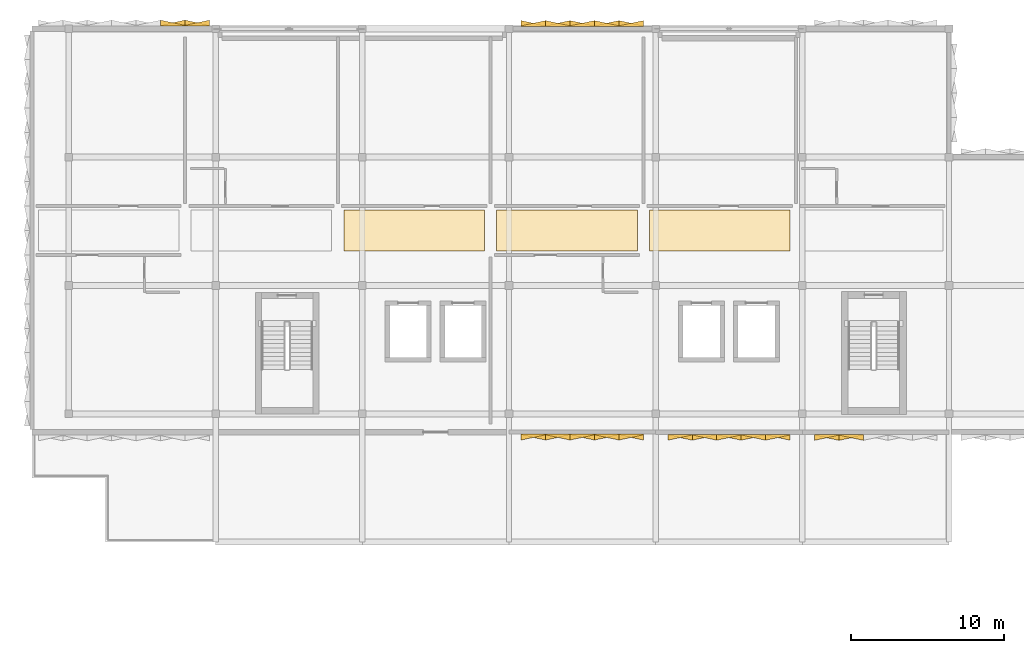
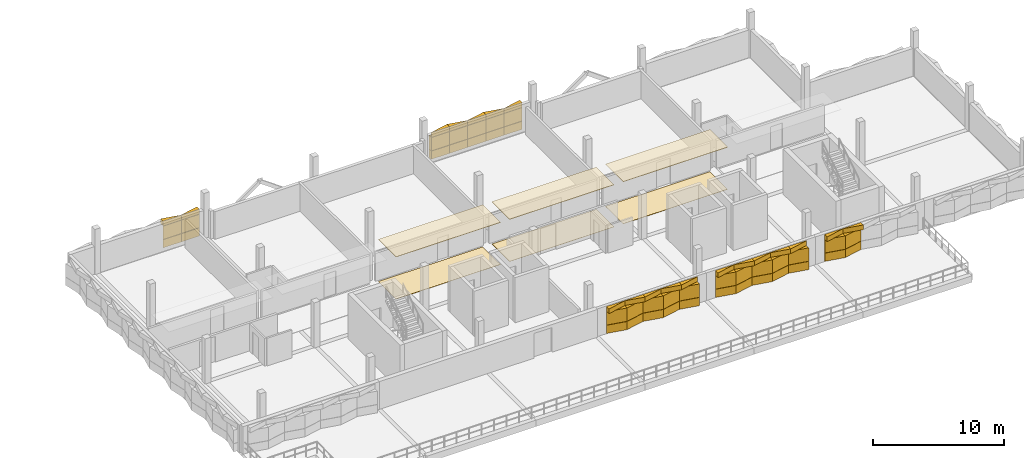
# One storey, part 11 of 13: 63 coverings.
"""IFC4 building model written with IfcOpenShell, lengths in metres."""

from ifc_helpers import new_model, si_unit, direction, frame, origin, place, context, subcontext, project, spatial, polyline, outline, extrude, material, layer, layer_set, type_object, element, save


model = new_model("IFC4")

# Units and contexts
model_context = context("Model", 3, precision=1e-05, world=origin(), true_north=direction((0.0, 1.0)))
body_context = subcontext(model_context, "Body", "Model", "MODEL_VIEW")
ifc_project = project(units=[si_unit("LENGTHUNIT", "METRE"), si_unit("AREAUNIT", "SQUARE_METRE"), si_unit("VOLUMEUNIT", "CUBIC_METRE"), si_unit("PLANEANGLEUNIT", "RADIAN"), si_unit("MASSUNIT", "GRAM", prefix="KILO")], contexts=[model_context])

# Site, building, storey
site_placement = place(None, origin())
site = spatial("IfcSite", under=ifc_project, at=site_placement, CompositionType="ELEMENT")
building_placement = place(site_placement, origin())
building = spatial("IfcBuilding", under=site, at=building_placement, Name="Oolite Switchyard Hospital", CompositionType="ELEMENT")
storey_placement = place(building_placement, frame((0.0, 0.0, 30.39990234375)))
storey = spatial("IfcBuildingStorey", under=building, at=storey_placement, Name="L07", CompositionType="ELEMENT", Elevation=30.39990234375)

# Coverings
ifc_material_1 = material(Name="Hygienic washable mineral-fibre acoustic ceiling")
ifc_layer_1 = layer(ifc_material_1, 0.0400390625)
ifc_layer_set_1 = layer_set([ifc_layer_1], Name="COV-CEIL-AC60")
covering_type_1 = type_object("IfcCoveringType", Name="COV-CEIL-AC60", PredefinedType="CEILING", material=ifc_layer_set_1)
covering_1_placement = place(storey_placement, frame((0.0, 0.0, 3.91015625)))
element("IfcCovering", 1, at=covering_1_placement, inside=storey, type_object=covering_type_1, Name="L07 Transplant and AIIR Isolation Ward Corridor Ceiling 3", PredefinedType="CEILING", context=body_context, shape_type="SweptSolid", body=[
    extrude(outline(polyline([(162.0, 119.85009765625), (171.199951171875, 119.85009765625), (171.199951171875, 122.550048828125), (162.0, 122.550048828125), (162.0, 119.85009765625)])), origin(), (0.0, 0.0, 1.0), 0.0400390625),
])
covering_2_placement = place(storey_placement, frame((0.0, 0.0, 3.91015625)))
element("IfcCovering", 2, at=covering_2_placement, inside=storey, type_object=covering_type_1, Name="L07 Transplant and AIIR Isolation Ward Corridor Ceiling 4", PredefinedType="CEILING", context=body_context, shape_type="SweptSolid", body=[
    extrude(outline(polyline([(172.0, 119.85009765625), (181.199951171875, 119.85009765625), (181.199951171875, 122.550048828125), (172.0, 122.550048828125), (172.0, 119.85009765625)])), origin(), (0.0, 0.0, 1.0), 0.0400390625),
])
covering_3_placement = place(storey_placement, frame((0.0, 0.0, 3.91015625)))
element("IfcCovering", 3, at=covering_3_placement, inside=storey, type_object=covering_type_1, Name="L07 Transplant and AIIR Isolation Ward Corridor Ceiling 5", PredefinedType="CEILING", context=body_context, shape_type="SweptSolid", body=[
    extrude(outline(polyline([(182.0, 119.85009765625), (191.199951171875, 119.85009765625), (191.199951171875, 122.550048828125), (182.0, 122.550048828125), (182.0, 119.85009765625)])), origin(), (0.0, 0.0, 1.0), 0.0400390625),
])
ifc_material_2 = material(Name="Precast oolitic limestone architectural concrete C40/50", Category="masonry")
covering_type_2 = type_object("IfcCoveringType", Name="COV-CHEV-COOL", PredefinedType="CLADDING", material=ifc_material_2)
covering_4_placement = place(storey_placement, frame((181.60009765625, 107.8701171875, 0.050048828125), z_axis=(0.0, 0.0, 1.0), x_axis=(-1.0, 0.0, 0.0)))
element("IfcCovering", 4, at=covering_4_placement, inside=storey, type_object=covering_type_2, Name="L07 Chevron Precast Oolite Panel 1718", PredefinedType="CLADDING", context=body_context, shape_type="SweptSolid", body=[
    extrude(outline(polyline([(0.0, 0.0), (1.60009765625, 0.0), (1.60009765625, 0.044921875), (0.0, 0.385009765625), (0.0, 0.0)])), origin(), (0.0, 0.0, 1.0), 0.760009765625),
])
covering_5_placement = place(storey_placement, frame((181.60009765625, 107.8701171875, 2.090087890625), z_axis=(0.0, 0.0, 1.0), x_axis=(-1.0, 0.0, 0.0)))
element("IfcCovering", 5, at=covering_5_placement, inside=storey, type_object=covering_type_2, Name="L07 Chevron Precast Oolite Panel 1719", PredefinedType="CLADDING", context=body_context, shape_type="SweptSolid", body=[
    extrude(outline(polyline([(0.0, 0.0), (1.60009765625, 0.0), (1.60009765625, 0.385009765625), (0.0, 0.044921875), (0.0, 0.0)])), origin(), (0.0, 0.0, 1.0), 0.43994140625),
])
covering_6_placement = place(storey_placement, frame((181.60009765625, 107.8701171875, 0.830078125), z_axis=(0.0, 0.0, 1.0), x_axis=(-1.0, 0.0, 0.0)))
element("IfcCovering", 6, at=covering_6_placement, inside=storey, type_object=covering_type_2, Name="L07 Chevron Precast Oolite Panel 1720", PredefinedType="CLADDING", context=body_context, shape_type="SweptSolid", body=[
    extrude(outline(polyline([(0.0, 0.0), (1.60009765625, 0.0), (1.60009765625, 0.044921875), (0.0, 0.385009765625), (0.0, 0.0)])), origin(), (0.0, 0.0, 1.0), 1.239990234375),
])
covering_7_placement = place(storey_placement, frame((180.0, 107.8701171875, 0.050048828125), z_axis=(0.0, 0.0, 1.0), x_axis=(-1.0, 0.0, 0.0)))
element("IfcCovering", 7, at=covering_7_placement, inside=storey, type_object=covering_type_2, Name="L07 Chevron Precast Oolite Panel 1721", PredefinedType="CLADDING", context=body_context, shape_type="SweptSolid", body=[
    extrude(outline(polyline([(0.0, 0.0), (1.60009765625, 0.0), (1.60009765625, 0.385009765625), (0.0, 0.044921875), (0.0, 0.0)])), origin(), (0.0, 0.0, 1.0), 0.760009765625),
])
covering_8_placement = place(storey_placement, frame((180.0, 107.8701171875, 2.090087890625), z_axis=(0.0, 0.0, 1.0), x_axis=(-1.0, 0.0, 0.0)))
element("IfcCovering", 8, at=covering_8_placement, inside=storey, type_object=covering_type_2, Name="L07 Chevron Precast Oolite Panel 1722", PredefinedType="CLADDING", context=body_context, shape_type="SweptSolid", body=[
    extrude(outline(polyline([(0.0, 0.0), (1.60009765625, 0.0), (1.60009765625, 0.044921875), (0.0, 0.385009765625), (0.0, 0.0)])), origin(), (0.0, 0.0, 1.0), 0.43994140625),
])
covering_9_placement = place(storey_placement, frame((180.0, 107.8701171875, 0.830078125), z_axis=(0.0, 0.0, 1.0), x_axis=(-1.0, 0.0, 0.0)))
element("IfcCovering", 9, at=covering_9_placement, inside=storey, type_object=covering_type_2, Name="L07 Chevron Precast Oolite Panel 1723", PredefinedType="CLADDING", context=body_context, shape_type="SweptSolid", body=[
    extrude(outline(polyline([(0.0, 0.0), (1.60009765625, 0.0), (1.60009765625, 0.385009765625), (0.0, 0.044921875), (0.0, 0.0)])), origin(), (0.0, 0.0, 1.0), 1.239990234375),
])
covering_10_placement = place(storey_placement, frame((178.39990234375, 107.8701171875, 0.050048828125), z_axis=(0.0, 0.0, 1.0), x_axis=(-1.0, 0.0, 0.0)))
element("IfcCovering", 10, at=covering_10_placement, inside=storey, type_object=covering_type_2, Name="L07 Chevron Precast Oolite Panel 1724", PredefinedType="CLADDING", context=body_context, shape_type="SweptSolid", body=[
    extrude(outline(polyline([(0.0, 0.0), (1.599853515625, 0.0), (1.599853515625, 0.044921875), (0.0, 0.385009765625), (0.0, 0.0)])), origin(), (0.0, 0.0, 1.0), 0.760009765625),
])
covering_11_placement = place(storey_placement, frame((178.39990234375, 107.8701171875, 2.090087890625), z_axis=(0.0, 0.0, 1.0), x_axis=(-1.0, 0.0, 0.0)))
element("IfcCovering", 11, at=covering_11_placement, inside=storey, type_object=covering_type_2, Name="L07 Chevron Precast Oolite Panel 1725", PredefinedType="CLADDING", context=body_context, shape_type="SweptSolid", body=[
    extrude(outline(polyline([(0.0, 0.0), (1.599853515625, 0.0), (1.599853515625, 0.385009765625), (0.0, 0.044921875), (0.0, 0.0)])), origin(), (0.0, 0.0, 1.0), 0.43994140625),
])
covering_12_placement = place(storey_placement, frame((178.39990234375, 107.8701171875, 0.830078125), z_axis=(0.0, 0.0, 1.0), x_axis=(-1.0, 0.0, 0.0)))
element("IfcCovering", 12, at=covering_12_placement, inside=storey, type_object=covering_type_2, Name="L07 Chevron Precast Oolite Panel 1726", PredefinedType="CLADDING", context=body_context, shape_type="SweptSolid", body=[
    extrude(outline(polyline([(0.0, 0.0), (1.599853515625, 0.0), (1.599853515625, 0.044921875), (0.0, 0.385009765625), (0.0, 0.0)])), origin(), (0.0, 0.0, 1.0), 1.239990234375),
])
covering_13_placement = place(storey_placement, frame((176.800048828125, 107.8701171875, 0.050048828125), z_axis=(0.0, 0.0, 1.0), x_axis=(-1.0, 0.0, 0.0)))
element("IfcCovering", 13, at=covering_13_placement, inside=storey, type_object=covering_type_2, Name="L07 Chevron Precast Oolite Panel 1727", PredefinedType="CLADDING", context=body_context, shape_type="SweptSolid", body=[
    extrude(outline(polyline([(0.0, 0.0), (1.60009765625, 0.0), (1.60009765625, 0.385009765625), (0.0, 0.044921875), (0.0, 0.0)])), origin(), (0.0, 0.0, 1.0), 0.760009765625),
])
covering_14_placement = place(storey_placement, frame((176.800048828125, 107.8701171875, 2.090087890625), z_axis=(0.0, 0.0, 1.0), x_axis=(-1.0, 0.0, 0.0)))
element("IfcCovering", 14, at=covering_14_placement, inside=storey, type_object=covering_type_2, Name="L07 Chevron Precast Oolite Panel 1728", PredefinedType="CLADDING", context=body_context, shape_type="SweptSolid", body=[
    extrude(outline(polyline([(0.0, 0.0), (1.60009765625, 0.0), (1.60009765625, 0.044921875), (0.0, 0.385009765625), (0.0, 0.0)])), origin(), (0.0, 0.0, 1.0), 0.43994140625),
])
covering_15_placement = place(storey_placement, frame((176.800048828125, 107.8701171875, 0.830078125), z_axis=(0.0, 0.0, 1.0), x_axis=(-1.0, 0.0, 0.0)))
element("IfcCovering", 15, at=covering_15_placement, inside=storey, type_object=covering_type_2, Name="L07 Chevron Precast Oolite Panel 1729", PredefinedType="CLADDING", context=body_context, shape_type="SweptSolid", body=[
    extrude(outline(polyline([(0.0, 0.0), (1.60009765625, 0.0), (1.60009765625, 0.385009765625), (0.0, 0.044921875), (0.0, 0.0)])), origin(), (0.0, 0.0, 1.0), 1.239990234375),
])
covering_16_placement = place(storey_placement, frame((175.199951171875, 107.8701171875, 0.050048828125), z_axis=(0.0, 0.0, 1.0), x_axis=(-1.0, 0.0, 0.0)))
element("IfcCovering", 16, at=covering_16_placement, inside=storey, type_object=covering_type_2, Name="L07 Chevron Precast Oolite Panel 1730", PredefinedType="CLADDING", context=body_context, shape_type="SweptSolid", body=[
    extrude(outline(polyline([(0.0, 0.0), (1.599853515625, 0.0), (1.599853515625, 0.044921875), (0.0, 0.385009765625), (0.0, 0.0)])), origin(), (0.0, 0.0, 1.0), 0.760009765625),
])
covering_17_placement = place(storey_placement, frame((175.199951171875, 107.8701171875, 2.090087890625), z_axis=(0.0, 0.0, 1.0), x_axis=(-1.0, 0.0, 0.0)))
element("IfcCovering", 17, at=covering_17_placement, inside=storey, type_object=covering_type_2, Name="L07 Chevron Precast Oolite Panel 1731", PredefinedType="CLADDING", context=body_context, shape_type="SweptSolid", body=[
    extrude(outline(polyline([(0.0, 0.0), (1.599853515625, 0.0), (1.599853515625, 0.385009765625), (0.0, 0.044921875), (0.0, 0.0)])), origin(), (0.0, 0.0, 1.0), 0.43994140625),
])
covering_18_placement = place(storey_placement, frame((175.199951171875, 107.8701171875, 0.830078125), z_axis=(0.0, 0.0, 1.0), x_axis=(-1.0, 0.0, 0.0)))
element("IfcCovering", 18, at=covering_18_placement, inside=storey, type_object=covering_type_2, Name="L07 Chevron Precast Oolite Panel 1732", PredefinedType="CLADDING", context=body_context, shape_type="SweptSolid", body=[
    extrude(outline(polyline([(0.0, 0.0), (1.599853515625, 0.0), (1.599853515625, 0.044921875), (0.0, 0.385009765625), (0.0, 0.0)])), origin(), (0.0, 0.0, 1.0), 1.239990234375),
])
covering_19_placement = place(storey_placement, frame((191.199951171875, 107.860107421875, 0.050048828125), z_axis=(0.0, 0.0, 1.0), x_axis=(-1.0, 0.0, 0.0)))
element("IfcCovering", 19, at=covering_19_placement, inside=storey, type_object=covering_type_2, Name="L07 Chevron Precast Oolite Panel 1733", PredefinedType="CLADDING", context=body_context, shape_type="SweptSolid", body=[
    extrude(outline(polyline([(0.0, 0.0), (1.599853515625, 0.0), (1.599853515625, 0.044921875), (0.0, 0.385009765625), (0.0, 0.0)])), origin(), (0.0, 0.0, 1.0), 0.760009765625),
])
covering_20_placement = place(storey_placement, frame((191.199951171875, 107.860107421875, 2.090087890625), z_axis=(0.0, 0.0, 1.0), x_axis=(-1.0, 0.0, 0.0)))
element("IfcCovering", 20, at=covering_20_placement, inside=storey, type_object=covering_type_2, Name="L07 Chevron Precast Oolite Panel 1734", PredefinedType="CLADDING", context=body_context, shape_type="SweptSolid", body=[
    extrude(outline(polyline([(0.0, 0.0), (1.599853515625, 0.0), (1.599853515625, 0.385009765625), (0.0, 0.044921875), (0.0, 0.0)])), origin(), (0.0, 0.0, 1.0), 0.43994140625),
])
covering_21_placement = place(storey_placement, frame((191.199951171875, 107.860107421875, 0.830078125), z_axis=(0.0, 0.0, 1.0), x_axis=(-1.0, 0.0, 0.0)))
element("IfcCovering", 21, at=covering_21_placement, inside=storey, type_object=covering_type_2, Name="L07 Chevron Precast Oolite Panel 1735", PredefinedType="CLADDING", context=body_context, shape_type="SweptSolid", body=[
    extrude(outline(polyline([(0.0, 0.0), (1.599853515625, 0.0), (1.599853515625, 0.044921875), (0.0, 0.385009765625), (0.0, 0.0)])), origin(), (0.0, 0.0, 1.0), 1.239990234375),
])
covering_22_placement = place(storey_placement, frame((189.60009765625, 107.860107421875, 0.050048828125), z_axis=(0.0, 0.0, 1.0), x_axis=(-1.0, 0.0, 0.0)))
element("IfcCovering", 22, at=covering_22_placement, inside=storey, type_object=covering_type_2, Name="L07 Chevron Precast Oolite Panel 1736", PredefinedType="CLADDING", context=body_context, shape_type="SweptSolid", body=[
    extrude(outline(polyline([(0.0, 0.0), (1.60009765625, 0.0), (1.60009765625, 0.385009765625), (0.0, 0.044921875), (0.0, 0.0)])), origin(), (0.0, 0.0, 1.0), 0.760009765625),
])
covering_23_placement = place(storey_placement, frame((189.60009765625, 107.860107421875, 2.090087890625), z_axis=(0.0, 0.0, 1.0), x_axis=(-1.0, 0.0, 0.0)))
element("IfcCovering", 23, at=covering_23_placement, inside=storey, type_object=covering_type_2, Name="L07 Chevron Precast Oolite Panel 1737", PredefinedType="CLADDING", context=body_context, shape_type="SweptSolid", body=[
    extrude(outline(polyline([(0.0, 0.0), (1.60009765625, 0.0), (1.60009765625, 0.044921875), (0.0, 0.385009765625), (0.0, 0.0)])), origin(), (0.0, 0.0, 1.0), 0.43994140625),
])
covering_24_placement = place(storey_placement, frame((189.60009765625, 107.860107421875, 0.830078125), z_axis=(0.0, 0.0, 1.0), x_axis=(-1.0, 0.0, 0.0)))
element("IfcCovering", 24, at=covering_24_placement, inside=storey, type_object=covering_type_2, Name="L07 Chevron Precast Oolite Panel 1738", PredefinedType="CLADDING", context=body_context, shape_type="SweptSolid", body=[
    extrude(outline(polyline([(0.0, 0.0), (1.60009765625, 0.0), (1.60009765625, 0.385009765625), (0.0, 0.044921875), (0.0, 0.0)])), origin(), (0.0, 0.0, 1.0), 1.239990234375),
])
covering_25_placement = place(storey_placement, frame((188.0, 107.860107421875, 0.050048828125), z_axis=(0.0, 0.0, 1.0), x_axis=(-1.0, 0.0, 0.0)))
element("IfcCovering", 25, at=covering_25_placement, inside=storey, type_object=covering_type_2, Name="L07 Chevron Precast Oolite Panel 1739", PredefinedType="CLADDING", context=body_context, shape_type="SweptSolid", body=[
    extrude(outline(polyline([(0.0, 0.0), (1.60009765625, 0.0), (1.60009765625, 0.044921875), (0.0, 0.385009765625), (0.0, 0.0)])), origin(), (0.0, 0.0, 1.0), 0.760009765625),
])
covering_26_placement = place(storey_placement, frame((188.0, 107.860107421875, 2.090087890625), z_axis=(0.0, 0.0, 1.0), x_axis=(-1.0, 0.0, 0.0)))
element("IfcCovering", 26, at=covering_26_placement, inside=storey, type_object=covering_type_2, Name="L07 Chevron Precast Oolite Panel 1740", PredefinedType="CLADDING", context=body_context, shape_type="SweptSolid", body=[
    extrude(outline(polyline([(0.0, 0.0), (1.60009765625, 0.0), (1.60009765625, 0.385009765625), (0.0, 0.044921875), (0.0, 0.0)])), origin(), (0.0, 0.0, 1.0), 0.43994140625),
])
covering_27_placement = place(storey_placement, frame((188.0, 107.860107421875, 0.830078125), z_axis=(0.0, 0.0, 1.0), x_axis=(-1.0, 0.0, 0.0)))
element("IfcCovering", 27, at=covering_27_placement, inside=storey, type_object=covering_type_2, Name="L07 Chevron Precast Oolite Panel 1741", PredefinedType="CLADDING", context=body_context, shape_type="SweptSolid", body=[
    extrude(outline(polyline([(0.0, 0.0), (1.60009765625, 0.0), (1.60009765625, 0.044921875), (0.0, 0.385009765625), (0.0, 0.0)])), origin(), (0.0, 0.0, 1.0), 1.239990234375),
])
covering_28_placement = place(storey_placement, frame((186.39990234375, 107.860107421875, 0.050048828125), z_axis=(0.0, 0.0, 1.0), x_axis=(-1.0, 0.0, 0.0)))
element("IfcCovering", 28, at=covering_28_placement, inside=storey, type_object=covering_type_2, Name="L07 Chevron Precast Oolite Panel 1742", PredefinedType="CLADDING", context=body_context, shape_type="SweptSolid", body=[
    extrude(outline(polyline([(0.0, 0.0), (1.599853515625, 0.0), (1.599853515625, 0.385009765625), (0.0, 0.044921875), (0.0, 0.0)])), origin(), (0.0, 0.0, 1.0), 0.760009765625),
])
covering_29_placement = place(storey_placement, frame((186.39990234375, 107.860107421875, 2.090087890625), z_axis=(0.0, 0.0, 1.0), x_axis=(-1.0, 0.0, 0.0)))
element("IfcCovering", 29, at=covering_29_placement, inside=storey, type_object=covering_type_2, Name="L07 Chevron Precast Oolite Panel 1743", PredefinedType="CLADDING", context=body_context, shape_type="SweptSolid", body=[
    extrude(outline(polyline([(0.0, 0.0), (1.599853515625, 0.0), (1.599853515625, 0.044921875), (0.0, 0.385009765625), (0.0, 0.0)])), origin(), (0.0, 0.0, 1.0), 0.43994140625),
])
covering_30_placement = place(storey_placement, frame((186.39990234375, 107.860107421875, 0.830078125), z_axis=(0.0, 0.0, 1.0), x_axis=(-1.0, 0.0, 0.0)))
element("IfcCovering", 30, at=covering_30_placement, inside=storey, type_object=covering_type_2, Name="L07 Chevron Precast Oolite Panel 1744", PredefinedType="CLADDING", context=body_context, shape_type="SweptSolid", body=[
    extrude(outline(polyline([(0.0, 0.0), (1.599853515625, 0.0), (1.599853515625, 0.385009765625), (0.0, 0.044921875), (0.0, 0.0)])), origin(), (0.0, 0.0, 1.0), 1.239990234375),
])
covering_31_placement = place(storey_placement, frame((184.800048828125, 107.860107421875, 0.050048828125), z_axis=(0.0, 0.0, 1.0), x_axis=(-1.0, 0.0, 0.0)))
element("IfcCovering", 31, at=covering_31_placement, inside=storey, type_object=covering_type_2, Name="L07 Chevron Precast Oolite Panel 1745", PredefinedType="CLADDING", context=body_context, shape_type="SweptSolid", body=[
    extrude(outline(polyline([(0.0, 0.0), (1.60009765625, 0.0), (1.60009765625, 0.044921875), (0.0, 0.385009765625), (0.0, 0.0)])), origin(), (0.0, 0.0, 1.0), 0.760009765625),
])
covering_32_placement = place(storey_placement, frame((184.800048828125, 107.860107421875, 2.090087890625), z_axis=(0.0, 0.0, 1.0), x_axis=(-1.0, 0.0, 0.0)))
element("IfcCovering", 32, at=covering_32_placement, inside=storey, type_object=covering_type_2, Name="L07 Chevron Precast Oolite Panel 1746", PredefinedType="CLADDING", context=body_context, shape_type="SweptSolid", body=[
    extrude(outline(polyline([(0.0, 0.0), (1.60009765625, 0.0), (1.60009765625, 0.385009765625), (0.0, 0.044921875), (0.0, 0.0)])), origin(), (0.0, 0.0, 1.0), 0.43994140625),
])
covering_33_placement = place(storey_placement, frame((184.800048828125, 107.860107421875, 0.830078125), z_axis=(0.0, 0.0, 1.0), x_axis=(-1.0, 0.0, 0.0)))
element("IfcCovering", 33, at=covering_33_placement, inside=storey, type_object=covering_type_2, Name="L07 Chevron Precast Oolite Panel 1747", PredefinedType="CLADDING", context=body_context, shape_type="SweptSolid", body=[
    extrude(outline(polyline([(0.0, 0.0), (1.60009765625, 0.0), (1.60009765625, 0.044921875), (0.0, 0.385009765625), (0.0, 0.0)])), origin(), (0.0, 0.0, 1.0), 1.239990234375),
])
covering_34_placement = place(storey_placement, frame((196.0, 107.85009765625, 0.050048828125), z_axis=(0.0, 0.0, 1.0), x_axis=(-1.0, 0.0, 0.0)))
element("IfcCovering", 34, at=covering_34_placement, inside=storey, type_object=covering_type_2, Name="L07 Chevron Precast Oolite Panel 1757", PredefinedType="CLADDING", context=body_context, shape_type="SweptSolid", body=[
    extrude(outline(polyline([(0.0, 0.0), (1.60009765625, 0.0), (1.60009765625, 0.385009765625), (0.0, 0.044921875), (0.0, 0.0)])), origin(), (0.0, 0.0, 1.0), 0.760009765625),
])
covering_35_placement = place(storey_placement, frame((196.0, 107.85009765625, 2.090087890625), z_axis=(0.0, 0.0, 1.0), x_axis=(-1.0, 0.0, 0.0)))
element("IfcCovering", 35, at=covering_35_placement, inside=storey, type_object=covering_type_2, Name="L07 Chevron Precast Oolite Panel 1758", PredefinedType="CLADDING", context=body_context, shape_type="SweptSolid", body=[
    extrude(outline(polyline([(0.0, 0.0), (1.60009765625, 0.0), (1.60009765625, 0.044921875), (0.0, 0.385009765625), (0.0, 0.0)])), origin(), (0.0, 0.0, 1.0), 0.43994140625),
])
covering_36_placement = place(storey_placement, frame((196.0, 107.85009765625, 0.830078125), z_axis=(0.0, 0.0, 1.0), x_axis=(-1.0, 0.0, 0.0)))
element("IfcCovering", 36, at=covering_36_placement, inside=storey, type_object=covering_type_2, Name="L07 Chevron Precast Oolite Panel 1759", PredefinedType="CLADDING", context=body_context, shape_type="SweptSolid", body=[
    extrude(outline(polyline([(0.0, 0.0), (1.60009765625, 0.0), (1.60009765625, 0.385009765625), (0.0, 0.044921875), (0.0, 0.0)])), origin(), (0.0, 0.0, 1.0), 1.239990234375),
])
covering_37_placement = place(storey_placement, frame((194.39990234375, 107.85009765625, 0.050048828125), z_axis=(0.0, 0.0, 1.0), x_axis=(-1.0, 0.0, 0.0)))
element("IfcCovering", 37, at=covering_37_placement, inside=storey, type_object=covering_type_2, Name="L07 Chevron Precast Oolite Panel 1760", PredefinedType="CLADDING", context=body_context, shape_type="SweptSolid", body=[
    extrude(outline(polyline([(0.0, 0.0), (1.599853515625, 0.0), (1.599853515625, 0.044921875), (0.0, 0.385009765625), (0.0, 0.0)])), origin(), (0.0, 0.0, 1.0), 0.760009765625),
])
covering_38_placement = place(storey_placement, frame((194.39990234375, 107.85009765625, 2.090087890625), z_axis=(0.0, 0.0, 1.0), x_axis=(-1.0, 0.0, 0.0)))
element("IfcCovering", 38, at=covering_38_placement, inside=storey, type_object=covering_type_2, Name="L07 Chevron Precast Oolite Panel 1761", PredefinedType="CLADDING", context=body_context, shape_type="SweptSolid", body=[
    extrude(outline(polyline([(0.0, 0.0), (1.599853515625, 0.0), (1.599853515625, 0.385009765625), (0.0, 0.044921875), (0.0, 0.0)])), origin(), (0.0, 0.0, 1.0), 0.43994140625),
])
covering_39_placement = place(storey_placement, frame((194.39990234375, 107.85009765625, 0.830078125), z_axis=(0.0, 0.0, 1.0), x_axis=(-1.0, 0.0, 0.0)))
element("IfcCovering", 39, at=covering_39_placement, inside=storey, type_object=covering_type_2, Name="L07 Chevron Precast Oolite Panel 1762", PredefinedType="CLADDING", context=body_context, shape_type="SweptSolid", body=[
    extrude(outline(polyline([(0.0, 0.0), (1.599853515625, 0.0), (1.599853515625, 0.044921875), (0.0, 0.385009765625), (0.0, 0.0)])), origin(), (0.0, 0.0, 1.0), 1.239990234375),
])
covering_40_placement = place(storey_placement, frame((150.0, 134.580078125, 0.050048828125), z_axis=(0.0, 0.0, 1.0), x_axis=(1.0, 0.0, 0.0)))
element("IfcCovering", 40, at=covering_40_placement, inside=storey, type_object=covering_type_2, Name="L07 Chevron Precast Oolite Panel 1808", PredefinedType="CLADDING", context=body_context, shape_type="SweptSolid", body=[
    extrude(outline(polyline([(0.0, 0.0), (1.60009765625, 0.0), (1.60009765625, 0.385009765625), (0.0, 0.044921875), (0.0, 0.0)])), origin(), (0.0, 0.0, 1.0), 0.760009765625),
])
covering_41_placement = place(storey_placement, frame((150.0, 134.580078125, 2.090087890625), z_axis=(0.0, 0.0, 1.0), x_axis=(1.0, 0.0, 0.0)))
element("IfcCovering", 41, at=covering_41_placement, inside=storey, type_object=covering_type_2, Name="L07 Chevron Precast Oolite Panel 1809", PredefinedType="CLADDING", context=body_context, shape_type="SweptSolid", body=[
    extrude(outline(polyline([(0.0, 0.0), (1.60009765625, 0.0), (1.60009765625, 0.044921875), (0.0, 0.385009765625), (0.0, 0.0)])), origin(), (0.0, 0.0, 1.0), 0.43994140625),
])
covering_42_placement = place(storey_placement, frame((150.0, 134.580078125, 0.830078125), z_axis=(0.0, 0.0, 1.0), x_axis=(1.0, 0.0, 0.0)))
element("IfcCovering", 42, at=covering_42_placement, inside=storey, type_object=covering_type_2, Name="L07 Chevron Precast Oolite Panel 1810", PredefinedType="CLADDING", context=body_context, shape_type="SweptSolid", body=[
    extrude(outline(polyline([(0.0, 0.0), (1.60009765625, 0.0), (1.60009765625, 0.385009765625), (0.0, 0.044921875), (0.0, 0.0)])), origin(), (0.0, 0.0, 1.0), 1.239990234375),
])
covering_43_placement = place(storey_placement, frame((151.60009765625, 134.580078125, 0.050048828125), z_axis=(0.0, 0.0, 1.0), x_axis=(1.0, 0.0, 0.0)))
element("IfcCovering", 43, at=covering_43_placement, inside=storey, type_object=covering_type_2, Name="L07 Chevron Precast Oolite Panel 1811", PredefinedType="CLADDING", context=body_context, shape_type="SweptSolid", body=[
    extrude(outline(polyline([(0.0, 0.0), (1.599853515625, 0.0), (1.599853515625, 0.044921875), (0.0, 0.385009765625), (0.0, 0.0)])), origin(), (0.0, 0.0, 1.0), 0.760009765625),
])
covering_44_placement = place(storey_placement, frame((151.60009765625, 134.580078125, 2.090087890625), z_axis=(0.0, 0.0, 1.0), x_axis=(1.0, 0.0, 0.0)))
element("IfcCovering", 44, at=covering_44_placement, inside=storey, type_object=covering_type_2, Name="L07 Chevron Precast Oolite Panel 1812", PredefinedType="CLADDING", context=body_context, shape_type="SweptSolid", body=[
    extrude(outline(polyline([(0.0, 0.0), (1.599853515625, 0.0), (1.599853515625, 0.385009765625), (0.0, 0.044921875), (0.0, 0.0)])), origin(), (0.0, 0.0, 1.0), 0.43994140625),
])
covering_45_placement = place(storey_placement, frame((151.60009765625, 134.580078125, 0.830078125), z_axis=(0.0, 0.0, 1.0), x_axis=(1.0, 0.0, 0.0)))
element("IfcCovering", 45, at=covering_45_placement, inside=storey, type_object=covering_type_2, Name="L07 Chevron Precast Oolite Panel 1813", PredefinedType="CLADDING", context=body_context, shape_type="SweptSolid", body=[
    extrude(outline(polyline([(0.0, 0.0), (1.599853515625, 0.0), (1.599853515625, 0.044921875), (0.0, 0.385009765625), (0.0, 0.0)])), origin(), (0.0, 0.0, 1.0), 1.239990234375),
])
covering_46_placement = place(storey_placement, frame((173.60009765625, 134.550048828125, 0.050048828125), z_axis=(0.0, 0.0, 1.0), x_axis=(1.0, 0.0, 0.0)))
element("IfcCovering", 46, at=covering_46_placement, inside=storey, type_object=covering_type_2, Name="L07 Chevron Precast Oolite Panel 1814", PredefinedType="CLADDING", context=body_context, shape_type="SweptSolid", body=[
    extrude(outline(polyline([(0.0, 0.0), (1.599853515625, 0.0), (1.599853515625, 0.044921875), (0.0, 0.385009765625), (0.0, 0.0)])), origin(), (0.0, 0.0, 1.0), 0.760009765625),
])
covering_47_placement = place(storey_placement, frame((173.60009765625, 134.550048828125, 2.090087890625), z_axis=(0.0, 0.0, 1.0), x_axis=(1.0, 0.0, 0.0)))
element("IfcCovering", 47, at=covering_47_placement, inside=storey, type_object=covering_type_2, Name="L07 Chevron Precast Oolite Panel 1815", PredefinedType="CLADDING", context=body_context, shape_type="SweptSolid", body=[
    extrude(outline(polyline([(0.0, 0.0), (1.599853515625, 0.0), (1.599853515625, 0.385009765625), (0.0, 0.044921875), (0.0, 0.0)])), origin(), (0.0, 0.0, 1.0), 0.43994140625),
])
covering_48_placement = place(storey_placement, frame((173.60009765625, 134.550048828125, 0.830078125), z_axis=(0.0, 0.0, 1.0), x_axis=(1.0, 0.0, 0.0)))
element("IfcCovering", 48, at=covering_48_placement, inside=storey, type_object=covering_type_2, Name="L07 Chevron Precast Oolite Panel 1816", PredefinedType="CLADDING", context=body_context, shape_type="SweptSolid", body=[
    extrude(outline(polyline([(0.0, 0.0), (1.599853515625, 0.0), (1.599853515625, 0.044921875), (0.0, 0.385009765625), (0.0, 0.0)])), origin(), (0.0, 0.0, 1.0), 1.239990234375),
])
covering_49_placement = place(storey_placement, frame((175.199951171875, 134.550048828125, 0.050048828125), z_axis=(0.0, 0.0, 1.0), x_axis=(1.0, 0.0, 0.0)))
element("IfcCovering", 49, at=covering_49_placement, inside=storey, type_object=covering_type_2, Name="L07 Chevron Precast Oolite Panel 1817", PredefinedType="CLADDING", context=body_context, shape_type="SweptSolid", body=[
    extrude(outline(polyline([(0.0, 0.0), (1.60009765625, 0.0), (1.60009765625, 0.385009765625), (0.0, 0.044921875), (0.0, 0.0)])), origin(), (0.0, 0.0, 1.0), 0.760009765625),
])
covering_50_placement = place(storey_placement, frame((175.199951171875, 134.550048828125, 2.090087890625), z_axis=(0.0, 0.0, 1.0), x_axis=(1.0, 0.0, 0.0)))
element("IfcCovering", 50, at=covering_50_placement, inside=storey, type_object=covering_type_2, Name="L07 Chevron Precast Oolite Panel 1818", PredefinedType="CLADDING", context=body_context, shape_type="SweptSolid", body=[
    extrude(outline(polyline([(0.0, 0.0), (1.60009765625, 0.0), (1.60009765625, 0.044921875), (0.0, 0.385009765625), (0.0, 0.0)])), origin(), (0.0, 0.0, 1.0), 0.43994140625),
])
covering_51_placement = place(storey_placement, frame((175.199951171875, 134.550048828125, 0.830078125), z_axis=(0.0, 0.0, 1.0), x_axis=(1.0, 0.0, 0.0)))
element("IfcCovering", 51, at=covering_51_placement, inside=storey, type_object=covering_type_2, Name="L07 Chevron Precast Oolite Panel 1819", PredefinedType="CLADDING", context=body_context, shape_type="SweptSolid", body=[
    extrude(outline(polyline([(0.0, 0.0), (1.60009765625, 0.0), (1.60009765625, 0.385009765625), (0.0, 0.044921875), (0.0, 0.0)])), origin(), (0.0, 0.0, 1.0), 1.239990234375),
])
covering_52_placement = place(storey_placement, frame((176.800048828125, 134.550048828125, 0.050048828125), z_axis=(0.0, 0.0, 1.0), x_axis=(1.0, 0.0, 0.0)))
element("IfcCovering", 52, at=covering_52_placement, inside=storey, type_object=covering_type_2, Name="L07 Chevron Precast Oolite Panel 1820", PredefinedType="CLADDING", context=body_context, shape_type="SweptSolid", body=[
    extrude(outline(polyline([(0.0, 0.0), (1.599853515625, 0.0), (1.599853515625, 0.044921875), (0.0, 0.385009765625), (0.0, 0.0)])), origin(), (0.0, 0.0, 1.0), 0.760009765625),
])
covering_53_placement = place(storey_placement, frame((176.800048828125, 134.550048828125, 2.090087890625), z_axis=(0.0, 0.0, 1.0), x_axis=(1.0, 0.0, 0.0)))
element("IfcCovering", 53, at=covering_53_placement, inside=storey, type_object=covering_type_2, Name="L07 Chevron Precast Oolite Panel 1821", PredefinedType="CLADDING", context=body_context, shape_type="SweptSolid", body=[
    extrude(outline(polyline([(0.0, 0.0), (1.599853515625, 0.0), (1.599853515625, 0.385009765625), (0.0, 0.044921875), (0.0, 0.0)])), origin(), (0.0, 0.0, 1.0), 0.43994140625),
])
covering_54_placement = place(storey_placement, frame((176.800048828125, 134.550048828125, 0.830078125), z_axis=(0.0, 0.0, 1.0), x_axis=(1.0, 0.0, 0.0)))
element("IfcCovering", 54, at=covering_54_placement, inside=storey, type_object=covering_type_2, Name="L07 Chevron Precast Oolite Panel 1822", PredefinedType="CLADDING", context=body_context, shape_type="SweptSolid", body=[
    extrude(outline(polyline([(0.0, 0.0), (1.599853515625, 0.0), (1.599853515625, 0.044921875), (0.0, 0.385009765625), (0.0, 0.0)])), origin(), (0.0, 0.0, 1.0), 1.239990234375),
])
covering_55_placement = place(storey_placement, frame((178.39990234375, 134.550048828125, 0.050048828125), z_axis=(0.0, 0.0, 1.0), x_axis=(1.0, 0.0, 0.0)))
element("IfcCovering", 55, at=covering_55_placement, inside=storey, type_object=covering_type_2, Name="L07 Chevron Precast Oolite Panel 1823", PredefinedType="CLADDING", context=body_context, shape_type="SweptSolid", body=[
    extrude(outline(polyline([(0.0, 0.0), (1.60009765625, 0.0), (1.60009765625, 0.385009765625), (0.0, 0.044921875), (0.0, 0.0)])), origin(), (0.0, 0.0, 1.0), 0.760009765625),
])
covering_56_placement = place(storey_placement, frame((178.39990234375, 134.550048828125, 2.090087890625), z_axis=(0.0, 0.0, 1.0), x_axis=(1.0, 0.0, 0.0)))
element("IfcCovering", 56, at=covering_56_placement, inside=storey, type_object=covering_type_2, Name="L07 Chevron Precast Oolite Panel 1824", PredefinedType="CLADDING", context=body_context, shape_type="SweptSolid", body=[
    extrude(outline(polyline([(0.0, 0.0), (1.60009765625, 0.0), (1.60009765625, 0.044921875), (0.0, 0.385009765625), (0.0, 0.0)])), origin(), (0.0, 0.0, 1.0), 0.43994140625),
])
covering_57_placement = place(storey_placement, frame((178.39990234375, 134.550048828125, 0.830078125), z_axis=(0.0, 0.0, 1.0), x_axis=(1.0, 0.0, 0.0)))
element("IfcCovering", 57, at=covering_57_placement, inside=storey, type_object=covering_type_2, Name="L07 Chevron Precast Oolite Panel 1825", PredefinedType="CLADDING", context=body_context, shape_type="SweptSolid", body=[
    extrude(outline(polyline([(0.0, 0.0), (1.60009765625, 0.0), (1.60009765625, 0.385009765625), (0.0, 0.044921875), (0.0, 0.0)])), origin(), (0.0, 0.0, 1.0), 1.239990234375),
])
covering_58_placement = place(storey_placement, frame((180.0, 134.550048828125, 0.050048828125), z_axis=(0.0, 0.0, 1.0), x_axis=(1.0, 0.0, 0.0)))
element("IfcCovering", 58, at=covering_58_placement, inside=storey, type_object=covering_type_2, Name="L07 Chevron Precast Oolite Panel 1826", PredefinedType="CLADDING", context=body_context, shape_type="SweptSolid", body=[
    extrude(outline(polyline([(0.0, 0.0), (1.60009765625, 0.0), (1.60009765625, 0.044921875), (0.0, 0.385009765625), (0.0, 0.0)])), origin(), (0.0, 0.0, 1.0), 0.760009765625),
])
covering_59_placement = place(storey_placement, frame((180.0, 134.550048828125, 2.090087890625), z_axis=(0.0, 0.0, 1.0), x_axis=(1.0, 0.0, 0.0)))
element("IfcCovering", 59, at=covering_59_placement, inside=storey, type_object=covering_type_2, Name="L07 Chevron Precast Oolite Panel 1827", PredefinedType="CLADDING", context=body_context, shape_type="SweptSolid", body=[
    extrude(outline(polyline([(0.0, 0.0), (1.60009765625, 0.0), (1.60009765625, 0.385009765625), (0.0, 0.044921875), (0.0, 0.0)])), origin(), (0.0, 0.0, 1.0), 0.43994140625),
])
covering_60_placement = place(storey_placement, frame((180.0, 134.550048828125, 0.830078125), z_axis=(0.0, 0.0, 1.0), x_axis=(1.0, 0.0, 0.0)))
element("IfcCovering", 60, at=covering_60_placement, inside=storey, type_object=covering_type_2, Name="L07 Chevron Precast Oolite Panel 1828", PredefinedType="CLADDING", context=body_context, shape_type="SweptSolid", body=[
    extrude(outline(polyline([(0.0, 0.0), (1.60009765625, 0.0), (1.60009765625, 0.044921875), (0.0, 0.385009765625), (0.0, 0.0)])), origin(), (0.0, 0.0, 1.0), 1.239990234375),
])
ifc_material_3 = material(Name="Epoxy terrazzo seamless clinical flooring")
ifc_layer_2 = layer(ifc_material_3, 0.02001953125)
ifc_layer_set_2 = layer_set([ifc_layer_2], Name="COV-FLR-TER20")
covering_type_3 = type_object("IfcCoveringType", Name="COV-FLR-TER20", PredefinedType="FLOORING", material=ifc_layer_set_2)
covering_61_placement = place(storey_placement, origin())
element("IfcCovering", 61, at=covering_61_placement, inside=storey, type_object=covering_type_3, Name="L07 Transplant and AIIR Isolation Ward Corridor Flooring 3", PredefinedType="FLOORING", context=body_context, shape_type="SweptSolid", body=[
    extrude(outline(polyline([(162.0, 119.85009765625), (171.199951171875, 119.85009765625), (171.199951171875, 122.550048828125), (162.0, 122.550048828125), (162.0, 119.85009765625)])), origin(), (0.0, 0.0, 1.0), 0.02001953125),
])
covering_62_placement = place(storey_placement, origin())
element("IfcCovering", 62, at=covering_62_placement, inside=storey, type_object=covering_type_3, Name="L07 Transplant and AIIR Isolation Ward Corridor Flooring 4", PredefinedType="FLOORING", context=body_context, shape_type="SweptSolid", body=[
    extrude(outline(polyline([(172.0, 119.85009765625), (181.199951171875, 119.85009765625), (181.199951171875, 122.550048828125), (172.0, 122.550048828125), (172.0, 119.85009765625)])), origin(), (0.0, 0.0, 1.0), 0.02001953125),
])
covering_63_placement = place(storey_placement, origin())
element("IfcCovering", 63, at=covering_63_placement, inside=storey, type_object=covering_type_3, Name="L07 Transplant and AIIR Isolation Ward Corridor Flooring 5", PredefinedType="FLOORING", context=body_context, shape_type="SweptSolid", body=[
    extrude(outline(polyline([(182.0, 119.85009765625), (191.199951171875, 119.85009765625), (191.199951171875, 122.550048828125), (182.0, 122.550048828125), (182.0, 119.85009765625)])), origin(), (0.0, 0.0, 1.0), 0.02001953125),
])

save(model, "model.ifc")
